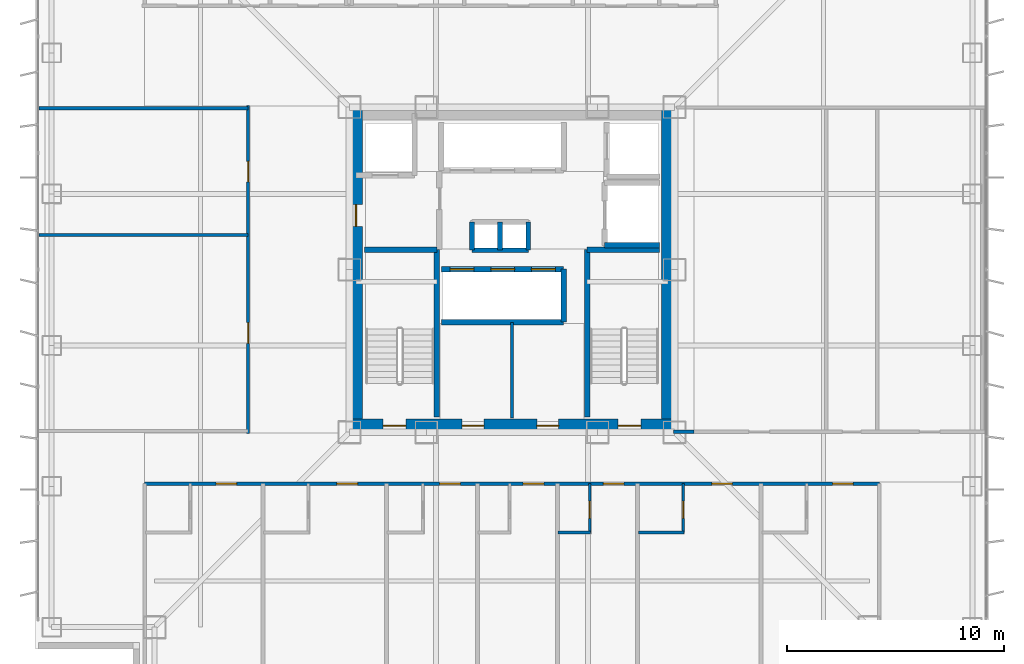
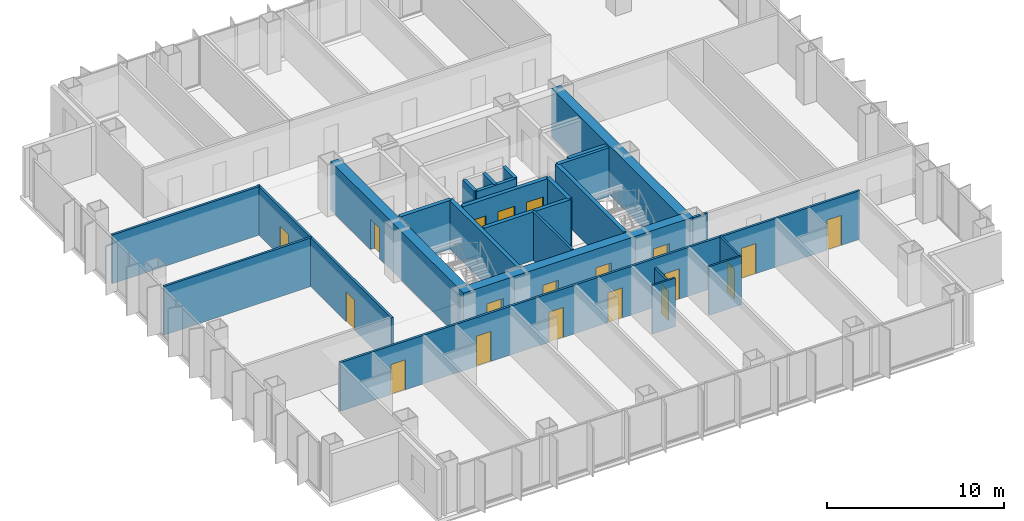
# One storey, part 13 of 18: 25 walls, 19 doors, 19 openings.
"""IFC4 building model written with IfcOpenShell, lengths in metres."""

from ifc_helpers import new_model, si_unit, direction, frame, frame_2d, origin, place, context, subcontext, project, spatial, rectangle, extrude, material, layer, layer_set, type_object, element, fill, save


model = new_model("IFC4")

# Units and contexts
model_context = context("Model", 3, precision=1e-05, world=origin(), true_north=direction((0.0, 1.0)))
body_context = subcontext(model_context, "Body", "Model", "MODEL_VIEW")
ifc_project = project(units=[si_unit("LENGTHUNIT", "METRE"), si_unit("AREAUNIT", "SQUARE_METRE"), si_unit("VOLUMEUNIT", "CUBIC_METRE"), si_unit("PLANEANGLEUNIT", "RADIAN"), si_unit("MASSUNIT", "GRAM", prefix="KILO")], contexts=[model_context])

# Site, building, storey
site_placement = place(None, origin())
site = spatial("IfcSite", under=ifc_project, at=site_placement, CompositionType="ELEMENT")
building_placement = place(site_placement, origin())
building = spatial("IfcBuilding", under=site, at=building_placement, Name="Trevonay Congress Spire", CompositionType="ELEMENT")
storey_placement = place(building_placement, frame((0.0, 0.0, 148.0)))
storey = spatial("IfcBuildingStorey", under=building, at=storey_placement, Name="L38", CompositionType="ELEMENT", Elevation=148.0)

# Wall, opening, door
ifc_material_1 = material(Name="Concrete C40/50", Category="concrete")
ifc_layer_1 = layer(ifc_material_1, 0.1201171875, Name="Concrete C40/50")
ifc_layer_set_1 = layer_set([ifc_layer_1], Name="Concrete C40/50")
wall_type_1 = type_object("IfcWallType", Name="WAL-BATH-120", PredefinedType="PLUMBINGWALL", material=ifc_layer_set_1)
wall_1_placement = place(storey_placement, frame((3.594970703125, -12.1298828125, 0.0), z_axis=(0.0, 0.0, 1.0), x_axis=(0.0, 1.0, 0.0)))
wall_1 = element("IfcWall", 1, at=wall_1_placement, inside=storey, type_object=wall_type_1, Name="L38 interior wall WH-L38S-BS5", PredefinedType="PLUMBINGWALL", context=body_context, shape_type="SweptSolid", body=[
    extrude(rectangle(XDim=2.25, YDim=0.1201171875, at=frame_2d((1.125, 0.0))), origin(), (0.0, 0.0, 1.0), 2.718017578125),
])
opening_1_placement = place(wall_1_placement, frame((0.64990234375, 0.0, 0.0)))
opening_1 = element("IfcOpeningElement", 2, at=opening_1_placement, cuts=wall_1, Name="Opening D11", PredefinedType="OPENING", context=body_context, shape_type="SweptSolid", body=[
    extrude(rectangle(XDim=0.800048828125, YDim=2.050048828125, at=frame_2d((0.39990234375, 1.02490234375))), frame((0.0, 0.070068359375, 0.0), z_axis=(0.0, -1.0, 0.0), x_axis=(1.0, 0.0, 0.0)), (0.0, 0.0, 1.0), 0.14013671875),
])
ifc_material_2 = material(Name="Pale Anodised Aluminium EN AW-6063-T6", Category="aluminium")
door_type_1 = type_object("IfcDoorType", Name="DOR-BATH-80", OperationType="NOTDEFINED", PredefinedType="DOOR", material=ifc_material_2)
door_1_placement = place(opening_1_placement, origin())
door_1 = element("IfcDoor", 3, at=door_1_placement, inside=storey, type_object=door_type_1, Name="L38 En-suite Bathroom Door", OperationType="SINGLE_SWING_LEFT", OverallHeight=2.050048828125, OverallWidth=0.800048828125, PredefinedType="DOOR", context=body_context, shape_type="SweptSolid", body=[
    extrude(rectangle(XDim=0.800048828125, YDim=2.050048828125, at=frame_2d((0.39990234375, 1.02490234375))), frame((0.0, 0.02490234375, 0.0), z_axis=(0.0, -1.0, 0.0), x_axis=(1.0, 0.0, 0.0)), (0.0, 0.0, 1.0), 0.050048828125),
])
fill(opening_1, door_1)

# Wall
wall_2_placement = place(storey_placement, frame((2.1298828125, -12.1298828125, 0.0), z_axis=(0.0, 0.0, 1.0), x_axis=(1.0, 0.0, 0.0)))
element("IfcWall", 4, at=wall_2_placement, inside=storey, type_object=wall_type_1, Name="L38 interior wall WH-L38S-BF5", PredefinedType="PLUMBINGWALL", context=body_context, shape_type="SweptSolid", body=[
    extrude(rectangle(XDim=1.4951171875, YDim=0.1201171875, at=frame_2d((0.74755859375, 0.0))), origin(), (0.0, 0.0, 1.0), 3.360107421875),
])

# Wall, opening, door
wall_3_placement = place(storey_placement, frame((7.89990234375, -12.1298828125, 0.0), z_axis=(0.0, 0.0, 1.0), x_axis=(0.0, 1.0, 0.0)))
wall_3 = element("IfcWall", 5, at=wall_3_placement, inside=storey, type_object=wall_type_1, Name="L38 interior wall WH-L38S-BS6", PredefinedType="PLUMBINGWALL", context=body_context, shape_type="SweptSolid", body=[
    extrude(rectangle(XDim=2.25, YDim=0.1201171875, at=frame_2d((1.125, 0.0))), origin(), (0.0, 0.0, 1.0), 3.360107421875),
])
opening_2_placement = place(wall_3_placement, frame((0.64990234375, 0.0, 0.0)))
opening_2 = element("IfcOpeningElement", 6, at=opening_2_placement, cuts=wall_3, Name="Opening D11", PredefinedType="OPENING", context=body_context, shape_type="SweptSolid", body=[
    extrude(rectangle(XDim=0.800048828125, YDim=2.050048828125, at=frame_2d((0.39990234375, 1.02490234375))), frame((0.0, 0.070068359375, 0.0), z_axis=(0.0, -1.0, 0.0), x_axis=(1.0, 0.0, 0.0)), (0.0, 0.0, 1.0), 0.14013671875),
])
door_2_placement = place(opening_2_placement, origin())
door_2 = element("IfcDoor", 7, at=door_2_placement, inside=storey, type_object=door_type_1, Name="L38 En-suite Bathroom Door", OperationType="SINGLE_SWING_RIGHT", OverallHeight=2.050048828125, OverallWidth=0.800048828125, PredefinedType="DOOR", context=body_context, shape_type="SweptSolid", body=[
    extrude(rectangle(XDim=0.800048828125, YDim=2.050048828125, at=frame_2d((0.39990234375, 1.02490234375))), frame((0.0, 0.02490234375, 0.0), z_axis=(0.0, -1.0, 0.0), x_axis=(1.0, 0.0, 0.0)), (0.0, 0.0, 1.0), 0.050048828125),
])
fill(opening_2, door_2)

# Wall
wall_4_placement = place(storey_placement, frame((5.830078125, -12.1298828125, 0.0), z_axis=(0.0, 0.0, 1.0), x_axis=(1.0, 0.0, 0.0)))
element("IfcWall", 8, at=wall_4_placement, inside=storey, type_object=wall_type_1, Name="L38 interior wall WH-L38S-BF6", PredefinedType="PLUMBINGWALL", context=body_context, shape_type="SweptSolid", body=[
    extrude(rectangle(XDim=2.099853515625, YDim=0.1201171875, at=frame_2d((1.0498046875, 0.0))), origin(), (0.0, 0.0, 1.0), 3.360107421875),
])

# Wall, openings, doors
ifc_material_3 = material(Name="Concrete C60/75", Category="concrete")
ifc_layer_2 = layer(ifc_material_3, 0.60009765625, Name="Concrete C60/75")
ifc_layer_set_2 = layer_set([ifc_layer_2], Name="Concrete C60/75")
wall_type_2 = type_object("IfcWallType", Name="WAL-CORE-600", PredefinedType="SHEAR", material=ifc_layer_set_2)
wall_5_placement = place(storey_placement, frame((-7.5, -7.199951171875, 0.0), z_axis=(0.0, 0.0, 1.0), x_axis=(1.0, 0.0, 0.0)))
wall_5 = element("IfcWall", 9, at=wall_5_placement, inside=storey, type_object=wall_type_2, Name="L38 South structural core shear wall", PredefinedType="SHEAR", context=body_context, shape_type="SweptSolid", body=[
    extrude(rectangle(XDim=15.0, YDim=0.60009765625, at=frame_2d((7.5, 0.0))), origin(), (0.0, 0.0, 1.0), 3.360107421875),
])
opening_3_placement = place(wall_5_placement, frame((1.550048828125, 0.0, 0.0)))
opening_3 = element("IfcOpeningElement", 10, at=opening_3_placement, cuts=wall_5, Name="Opening D05", PredefinedType="OPENING", context=body_context, shape_type="SweptSolid", body=[
    extrude(rectangle(XDim=1.050048828125, YDim=2.080078125, at=frame_2d((0.52490234375, 1.0400390625))), frame((0.0, 0.31005859375, 0.0), z_axis=(0.0, -1.0, 0.0), x_axis=(1.0, 0.0, 0.0)), (0.0, 0.0, 1.0), 0.6201171875),
])
opening_4_placement = place(wall_5_placement, frame((12.39990234375, 0.0, 0.0)))
opening_4 = element("IfcOpeningElement", 11, at=opening_4_placement, cuts=wall_5, Name="Opening D05", PredefinedType="OPENING", context=body_context, shape_type="SweptSolid", body=[
    extrude(rectangle(XDim=1.050048828125, YDim=2.080078125, at=frame_2d((0.52490234375, 1.0400390625))), frame((0.0, 0.31005859375, 0.0), z_axis=(0.0, -1.0, 0.0), x_axis=(1.0, 0.0, 0.0)), (0.0, 0.0, 1.0), 0.6201171875),
])
opening_5_placement = place(wall_5_placement, frame((5.199951171875, 0.0, 0.0)))
opening_5 = element("IfcOpeningElement", 12, at=opening_5_placement, cuts=wall_5, Name="Opening D06", PredefinedType="OPENING", context=body_context, shape_type="SweptSolid", body=[
    extrude(rectangle(XDim=1.0, YDim=2.080078125, at=frame_2d((0.5, 1.0400390625))), frame((0.0, 0.31005859375, 0.0), z_axis=(0.0, -1.0, 0.0), x_axis=(1.0, 0.0, 0.0)), (0.0, 0.0, 1.0), 0.6201171875),
])
opening_6_placement = place(wall_5_placement, frame((8.64990234375, 0.0, 0.0)))
opening_6 = element("IfcOpeningElement", 13, at=opening_6_placement, cuts=wall_5, Name="Opening D06", PredefinedType="OPENING", context=body_context, shape_type="SweptSolid", body=[
    extrude(rectangle(XDim=1.0, YDim=2.080078125, at=frame_2d((0.5, 1.0400390625))), frame((0.0, 0.31005859375, 0.0), z_axis=(0.0, -1.0, 0.0), x_axis=(1.0, 0.0, 0.0)), (0.0, 0.0, 1.0), 0.6201171875),
])
ifc_material_4 = material(Name="Steel ASTM A572 Grade 50", Category="steel")
door_type_2 = type_object("IfcDoorType", Name="DOR-FIRE-100", OperationType="NOTDEFINED", PredefinedType="DOOR", material=ifc_material_4)
door_3_placement = place(opening_5_placement, origin())
door_3 = element("IfcDoor", 14, at=door_3_placement, inside=storey, type_object=door_type_2, Name="L38 South Core Room 1 Door", OperationType="SINGLE_SWING_RIGHT", OverallHeight=2.080078125, OverallWidth=1.0, PredefinedType="DOOR", context=body_context, shape_type="SweptSolid", body=[
    extrude(rectangle(XDim=1.0, YDim=2.080078125, at=frame_2d((0.5, 1.0400390625))), frame((0.0, 0.02490234375, 0.0), z_axis=(0.0, -1.0, 0.0), x_axis=(1.0, 0.0, 0.0)), (0.0, 0.0, 1.0), 0.050048828125),
])
fill(opening_5, door_3)
door_4_placement = place(opening_6_placement, origin())
door_4 = element("IfcDoor", 15, at=door_4_placement, inside=storey, type_object=door_type_2, Name="L38 South Core Room 2 Door", OperationType="SINGLE_SWING_LEFT", OverallHeight=2.080078125, OverallWidth=1.0, PredefinedType="DOOR", context=body_context, shape_type="SweptSolid", body=[
    extrude(rectangle(XDim=1.0, YDim=2.080078125, at=frame_2d((0.5, 1.0400390625))), frame((0.0, 0.02490234375, 0.0), z_axis=(0.0, -1.0, 0.0), x_axis=(1.0, 0.0, 0.0)), (0.0, 0.0, 1.0), 0.050048828125),
])
fill(opening_6, door_4)
door_type_3 = type_object("IfcDoorType", Name="DOR-STAIR-110", OperationType="NOTDEFINED", PredefinedType="DOOR", material=ifc_material_4)
door_5_placement = place(opening_3_placement, origin())
door_5 = element("IfcDoor", 16, at=door_5_placement, inside=storey, type_object=door_type_3, Name="L38 Protected Stair ST-1 Door", OperationType="SINGLE_SWING_LEFT", OverallHeight=2.080078125, OverallWidth=1.050048828125, PredefinedType="DOOR", context=body_context, shape_type="SweptSolid", body=[
    extrude(rectangle(XDim=1.050048828125, YDim=2.080078125, at=frame_2d((0.52490234375, 1.0400390625))), frame((0.0, 0.02490234375, 0.0), z_axis=(0.0, -1.0, 0.0), x_axis=(1.0, 0.0, 0.0)), (0.0, 0.0, 1.0), 0.050048828125),
])
fill(opening_3, door_5)
door_6_placement = place(opening_4_placement, origin())
door_6 = element("IfcDoor", 17, at=door_6_placement, inside=storey, type_object=door_type_3, Name="L38 Protected Stair ST-2 Door", OperationType="SINGLE_SWING_RIGHT", OverallHeight=2.080078125, OverallWidth=1.050048828125, PredefinedType="DOOR", context=body_context, shape_type="SweptSolid", body=[
    extrude(rectangle(XDim=1.050048828125, YDim=2.080078125, at=frame_2d((0.52490234375, 1.0400390625))), frame((0.0, 0.02490234375, 0.0), z_axis=(0.0, -1.0, 0.0), x_axis=(1.0, 0.0, 0.0)), (0.0, 0.0, 1.0), 0.050048828125),
])
fill(opening_4, door_6)

# Wall, opening, door
wall_6_placement = place(storey_placement, frame((-7.199951171875, -7.5, 0.0), z_axis=(0.0, 0.0, 1.0), x_axis=(0.0, 1.0, 0.0)))
wall_6 = element("IfcWall", 18, at=wall_6_placement, inside=storey, type_object=wall_type_2, Name="L38 West structural core shear wall", PredefinedType="SHEAR", context=body_context, shape_type="SweptSolid", body=[
    extrude(rectangle(XDim=15.0, YDim=0.60009765625, at=frame_2d((7.5, 0.0))), origin(), (0.0, 0.0, 1.0), 3.360107421875),
])
opening_7_placement = place(wall_6_placement, frame((9.5, 0.0, 0.0)))
opening_7 = element("IfcOpeningElement", 19, at=opening_7_placement, cuts=wall_6, Name="Opening D06", PredefinedType="OPENING", context=body_context, shape_type="SweptSolid", body=[
    extrude(rectangle(XDim=1.0, YDim=2.080078125, at=frame_2d((0.5, 1.0400390625))), frame((0.0, 0.31005859375, 0.0), z_axis=(0.0, -1.0, 0.0), x_axis=(1.0, 0.0, 0.0)), (0.0, 0.0, 1.0), 0.6201171875),
])
door_7_placement = place(opening_7_placement, origin())
door_7 = element("IfcDoor", 20, at=door_7_placement, inside=storey, type_object=door_type_2, Name="L38 Firefighting Lift Lobby West Corridor Door", OperationType="SINGLE_SWING_LEFT", OverallHeight=2.080078125, OverallWidth=1.0, PredefinedType="DOOR", context=body_context, shape_type="SweptSolid", body=[
    extrude(rectangle(XDim=1.0, YDim=2.080078125, at=frame_2d((0.5, 1.0400390625))), frame((0.0, 0.02490234375, 0.0), z_axis=(0.0, -1.0, 0.0), x_axis=(1.0, 0.0, 0.0)), (0.0, 0.0, 1.0), 0.050048828125),
])
fill(opening_7, door_7)

# Wall
wall_7_placement = place(storey_placement, frame((7.199951171875, -7.5, 0.0), z_axis=(0.0, 0.0, 1.0), x_axis=(0.0, 1.0, 0.0)))
element("IfcWall", 21, at=wall_7_placement, inside=storey, type_object=wall_type_2, Name="L38 East structural core shear wall", PredefinedType="SHEAR", context=body_context, shape_type="SweptSolid", body=[
    extrude(rectangle(XDim=15.0, YDim=0.60009765625, at=frame_2d((7.5, 0.0))), origin(), (0.0, 0.0, 1.0), 3.360107421875),
])

# Wall, openings, doors
ifc_layer_3 = layer(ifc_material_1, 0.14990234375, Name="Concrete C40/50")
ifc_layer_set_3 = layer_set([ifc_layer_3], Name="Concrete C40/50")
wall_type_3 = type_object("IfcWallType", Name="WAL-CORR-150", PredefinedType="PARTITIONING", material=ifc_layer_set_3)
wall_8_placement = place(storey_placement, frame((-16.949951171875, -9.8798828125, 0.0), z_axis=(0.0, 0.0, 1.0), x_axis=(1.0, 0.0, 0.0)))
wall_8 = element("IfcWall", 22, at=wall_8_placement, inside=storey, type_object=wall_type_3, Name="L38 interior wall WH-L38S-COR", PredefinedType="PARTITIONING", context=body_context, shape_type="SweptSolid", body=[
    extrude(rectangle(XDim=33.89990234375, YDim=0.14990234375, at=frame_2d((16.949951171875, 0.0))), origin(), (0.0, 0.0, 1.0), 3.360107421875),
])
opening_8_placement = place(wall_8_placement, frame((3.294921875, 0.0, 0.0)))
opening_8 = element("IfcOpeningElement", 23, at=opening_8_placement, cuts=wall_8, Name="Opening D08", PredefinedType="OPENING", context=body_context, shape_type="SweptSolid", body=[
    extrude(rectangle(XDim=0.949951171875, YDim=2.080078125, at=frame_2d((0.47509765625, 1.0400390625))), frame((0.0, 0.0849609375, 0.0), z_axis=(0.0, -1.0, 0.0), x_axis=(1.0, 0.0, 0.0)), (0.0, 0.0, 1.0), 0.169921875),
])
opening_9_placement = place(wall_8_placement, frame((8.8701171875, 0.0, 0.0)))
opening_9 = element("IfcOpeningElement", 24, at=opening_9_placement, cuts=wall_8, Name="Opening D08", PredefinedType="OPENING", context=body_context, shape_type="SweptSolid", body=[
    extrude(rectangle(XDim=0.949951171875, YDim=2.080078125, at=frame_2d((0.47509765625, 1.0400390625))), frame((0.0, 0.0849609375, 0.0), z_axis=(0.0, -1.0, 0.0), x_axis=(1.0, 0.0, 0.0)), (0.0, 0.0, 1.0), 0.169921875),
])
opening_10_placement = place(wall_8_placement, frame((13.612548828125, 0.0, 0.0)))
opening_10 = element("IfcOpeningElement", 25, at=opening_10_placement, cuts=wall_8, Name="Opening D08", PredefinedType="OPENING", context=body_context, shape_type="SweptSolid", body=[
    extrude(rectangle(XDim=0.949951171875, YDim=2.080078125, at=frame_2d((0.47509765625, 1.0400390625))), frame((0.0, 0.0849609375, 0.0), z_axis=(0.0, -1.0, 0.0), x_axis=(1.0, 0.0, 0.0)), (0.0, 0.0, 1.0), 0.169921875),
])
opening_11_placement = place(wall_8_placement, frame((17.467529296875, 0.0, 0.0)))
opening_11 = element("IfcOpeningElement", 26, at=opening_11_placement, cuts=wall_8, Name="Opening D08", PredefinedType="OPENING", context=body_context, shape_type="SweptSolid", body=[
    extrude(rectangle(XDim=0.949951171875, YDim=2.080078125, at=frame_2d((0.47509765625, 1.0400390625))), frame((0.0, 0.0849609375, 0.0), z_axis=(0.0, -1.0, 0.0), x_axis=(1.0, 0.0, 0.0)), (0.0, 0.0, 1.0), 0.169921875),
])
opening_12_placement = place(wall_8_placement, frame((21.16748046875, 0.0, 0.0)))
opening_12 = element("IfcOpeningElement", 27, at=opening_12_placement, cuts=wall_8, Name="Opening D08", PredefinedType="OPENING", context=body_context, shape_type="SweptSolid", body=[
    extrude(rectangle(XDim=0.949951171875, YDim=2.080078125, at=frame_2d((0.47509765625, 1.0400390625))), frame((0.0, 0.0849609375, 0.0), z_axis=(0.0, -1.0, 0.0), x_axis=(1.0, 0.0, 0.0)), (0.0, 0.0, 1.0), 0.169921875),
])
opening_13_placement = place(wall_8_placement, frame((26.169921875, 0.0, 0.0)))
opening_13 = element("IfcOpeningElement", 28, at=opening_13_placement, cuts=wall_8, Name="Opening D08", PredefinedType="OPENING", context=body_context, shape_type="SweptSolid", body=[
    extrude(rectangle(XDim=0.949951171875, YDim=2.080078125, at=frame_2d((0.47509765625, 1.0400390625))), frame((0.0, 0.0849609375, 0.0), z_axis=(0.0, -1.0, 0.0), x_axis=(1.0, 0.0, 0.0)), (0.0, 0.0, 1.0), 0.169921875),
])
opening_14_placement = place(wall_8_placement, frame((31.7451171875, 0.0, 0.0)))
opening_14 = element("IfcOpeningElement", 29, at=opening_14_placement, cuts=wall_8, Name="Opening D08", PredefinedType="OPENING", context=body_context, shape_type="SweptSolid", body=[
    extrude(rectangle(XDim=0.949951171875, YDim=2.080078125, at=frame_2d((0.47509765625, 1.0400390625))), frame((0.0, 0.0849609375, 0.0), z_axis=(0.0, -1.0, 0.0), x_axis=(1.0, 0.0, 0.0)), (0.0, 0.0, 1.0), 0.169921875),
])
door_type_4 = type_object("IfcDoorType", Name="DOR-SUITE-95", OperationType="NOTDEFINED", PredefinedType="DOOR", material=ifc_material_2)
door_8_placement = place(opening_8_placement, origin())
door_8 = element("IfcDoor", 30, at=door_8_placement, inside=storey, type_object=door_type_4, Name="L38 Corner Hotel Suite Entrance Door", OperationType="SINGLE_SWING_RIGHT", OverallHeight=2.080078125, OverallWidth=0.949951171875, PredefinedType="DOOR", context=body_context, shape_type="SweptSolid", body=[
    extrude(rectangle(XDim=0.949951171875, YDim=2.080078125, at=frame_2d((0.47509765625, 1.0400390625))), frame((0.0, 0.02490234375, 0.0), z_axis=(0.0, -1.0, 0.0), x_axis=(1.0, 0.0, 0.0)), (0.0, 0.0, 1.0), 0.050048828125),
])
fill(opening_8, door_8)
door_9_placement = place(opening_9_placement, origin())
door_9 = element("IfcDoor", 31, at=door_9_placement, inside=storey, type_object=door_type_4, Name="L38 Hotel Guest Room Entrance Door", OperationType="SINGLE_SWING_LEFT", OverallHeight=2.080078125, OverallWidth=0.949951171875, PredefinedType="DOOR", context=body_context, shape_type="SweptSolid", body=[
    extrude(rectangle(XDim=0.949951171875, YDim=2.080078125, at=frame_2d((0.47509765625, 1.0400390625))), frame((0.0, 0.02490234375, 0.0), z_axis=(0.0, -1.0, 0.0), x_axis=(1.0, 0.0, 0.0)), (0.0, 0.0, 1.0), 0.050048828125),
])
fill(opening_9, door_9)
door_10_placement = place(opening_10_placement, origin())
door_10 = element("IfcDoor", 32, at=door_10_placement, inside=storey, type_object=door_type_4, Name="L38 Hotel Guest Room Entrance Door", OperationType="SINGLE_SWING_RIGHT", OverallHeight=2.080078125, OverallWidth=0.949951171875, PredefinedType="DOOR", context=body_context, shape_type="SweptSolid", body=[
    extrude(rectangle(XDim=0.949951171875, YDim=2.080078125, at=frame_2d((0.47509765625, 1.0400390625))), frame((0.0, 0.02490234375, 0.0), z_axis=(0.0, -1.0, 0.0), x_axis=(1.0, 0.0, 0.0)), (0.0, 0.0, 1.0), 0.050048828125),
])
fill(opening_10, door_10)
door_11_placement = place(opening_11_placement, origin())
door_11 = element("IfcDoor", 33, at=door_11_placement, inside=storey, type_object=door_type_4, Name="L38 Hotel Guest Room Entrance Door", OperationType="SINGLE_SWING_LEFT", OverallHeight=2.080078125, OverallWidth=0.949951171875, PredefinedType="DOOR", context=body_context, shape_type="SweptSolid", body=[
    extrude(rectangle(XDim=0.949951171875, YDim=2.080078125, at=frame_2d((0.47509765625, 1.0400390625))), frame((0.0, 0.02490234375, 0.0), z_axis=(0.0, -1.0, 0.0), x_axis=(1.0, 0.0, 0.0)), (0.0, 0.0, 1.0), 0.050048828125),
])
fill(opening_11, door_11)
door_12_placement = place(opening_12_placement, origin())
door_12 = element("IfcDoor", 34, at=door_12_placement, inside=storey, type_object=door_type_4, Name="L38 Hotel Guest Room Entrance Door", OperationType="SINGLE_SWING_RIGHT", OverallHeight=2.080078125, OverallWidth=0.949951171875, PredefinedType="DOOR", context=body_context, shape_type="SweptSolid", body=[
    extrude(rectangle(XDim=0.949951171875, YDim=2.080078125, at=frame_2d((0.47509765625, 1.0400390625))), frame((0.0, 0.02490234375, 0.0), z_axis=(0.0, -1.0, 0.0), x_axis=(1.0, 0.0, 0.0)), (0.0, 0.0, 1.0), 0.050048828125),
])
fill(opening_12, door_12)
door_13_placement = place(opening_13_placement, origin())
door_13 = element("IfcDoor", 35, at=door_13_placement, inside=storey, type_object=door_type_4, Name="L38 Corner Hotel Suite Entrance Door", OperationType="SINGLE_SWING_LEFT", OverallHeight=2.080078125, OverallWidth=0.949951171875, PredefinedType="DOOR", context=body_context, shape_type="SweptSolid", body=[
    extrude(rectangle(XDim=0.949951171875, YDim=2.080078125, at=frame_2d((0.47509765625, 1.0400390625))), frame((0.0, 0.02490234375, 0.0), z_axis=(0.0, -1.0, 0.0), x_axis=(1.0, 0.0, 0.0)), (0.0, 0.0, 1.0), 0.050048828125),
])
fill(opening_13, door_13)
door_14_placement = place(opening_14_placement, origin())
door_14 = element("IfcDoor", 36, at=door_14_placement, inside=storey, type_object=door_type_4, Name="L38 Hotel Guest Room Entrance Door", OperationType="SINGLE_SWING_RIGHT", OverallHeight=2.080078125, OverallWidth=0.949951171875, PredefinedType="DOOR", context=body_context, shape_type="SweptSolid", body=[
    extrude(rectangle(XDim=0.949951171875, YDim=2.080078125, at=frame_2d((0.47509765625, 1.0400390625))), frame((0.0, 0.02490234375, 0.0), z_axis=(0.0, -1.0, 0.0), x_axis=(1.0, 0.0, 0.0)), (0.0, 0.0, 1.0), 0.050048828125),
])
fill(opening_14, door_14)

wall_9_placement = place(storey_placement, frame((-12.179931640625, -7.570068359375, 0.0), z_axis=(0.0, 0.0, 1.0), x_axis=(0.0, 1.0, 0.0)))
wall_9 = element("IfcWall", 37, at=wall_9_placement, inside=storey, type_object=wall_type_3, Name="L38 interior wall WP-L38W-COR", PredefinedType="PARTITIONING", context=body_context, shape_type="SweptSolid", body=[
    extrude(rectangle(XDim=15.14013671875, YDim=0.14990234375, at=frame_2d((7.570068359375, 0.0))), origin(), (0.0, 0.0, 1.0), 3.360107421875),
])
opening_15_placement = place(wall_9_placement, frame((4.169921875, 0.0, 0.0)))
opening_15 = element("IfcOpeningElement", 38, at=opening_15_placement, cuts=wall_9, Name="Opening D07", PredefinedType="OPENING", context=body_context, shape_type="SweptSolid", body=[
    extrude(rectangle(XDim=0.949951171875, YDim=2.06005859375, at=frame_2d((0.47509765625, 1.030029296875))), frame((0.0, 0.0849609375, 0.0), z_axis=(0.0, -1.0, 0.0), x_axis=(1.0, 0.0, 0.0)), (0.0, 0.0, 1.0), 0.169921875),
])
opening_16_placement = place(wall_9_placement, frame((11.6201171875, 0.0, 0.0)))
opening_16 = element("IfcOpeningElement", 39, at=opening_16_placement, cuts=wall_9, Name="Opening D07", PredefinedType="OPENING", context=body_context, shape_type="SweptSolid", body=[
    extrude(rectangle(XDim=0.949951171875, YDim=2.06005859375, at=frame_2d((0.47509765625, 1.030029296875))), frame((0.0, 0.0849609375, 0.0), z_axis=(0.0, -1.0, 0.0), x_axis=(1.0, 0.0, 0.0)), (0.0, 0.0, 1.0), 0.169921875),
])
door_type_5 = type_object("IfcDoorType", Name="DOR-OFFICE-95", OperationType="NOTDEFINED", PredefinedType="DOOR", material=ifc_material_2)
door_15_placement = place(opening_15_placement, origin())
door_15 = element("IfcDoor", 40, at=door_15_placement, inside=storey, type_object=door_type_5, Name="L38 Chief Negotiator Office Door", OperationType="SINGLE_SWING_LEFT", OverallHeight=2.06005859375, OverallWidth=0.949951171875, PredefinedType="DOOR", context=body_context, shape_type="SweptSolid", body=[
    extrude(rectangle(XDim=0.949951171875, YDim=2.06005859375, at=frame_2d((0.47509765625, 1.030029296875))), frame((0.0, 0.02490234375, 0.0), z_axis=(0.0, -1.0, 0.0), x_axis=(1.0, 0.0, 0.0)), (0.0, 0.0, 1.0), 0.050048828125),
])
fill(opening_15, door_15)
door_16_placement = place(opening_16_placement, origin())
door_16 = element("IfcDoor", 41, at=door_16_placement, inside=storey, type_object=door_type_5, Name="L38 Diplomatic Cipher Office Door", OperationType="SINGLE_SWING_RIGHT", OverallHeight=2.06005859375, OverallWidth=0.949951171875, PredefinedType="DOOR", context=body_context, shape_type="SweptSolid", body=[
    extrude(rectangle(XDim=0.949951171875, YDim=2.06005859375, at=frame_2d((0.47509765625, 1.030029296875))), frame((0.0, 0.02490234375, 0.0), z_axis=(0.0, -1.0, 0.0), x_axis=(1.0, 0.0, 0.0)), (0.0, 0.0, 1.0), 0.050048828125),
])
fill(opening_16, door_16)

# Walls
wall_10_placement = place(storey_placement, frame((7.449951171875, -7.47998046875, 0.0), z_axis=(0.0, 0.0, 1.0), x_axis=(1.0, 0.0, 0.0)))
element("IfcWall", 42, at=wall_10_placement, inside=storey, type_object=wall_type_3, Name="L38 interior wall WP-L38E-STUB", PredefinedType="PARTITIONING", context=body_context, shape_type="SweptSolid", body=[
    extrude(rectangle(XDim=0.949951171875, YDim=0.14990234375, at=frame_2d((0.47509765625, 0.0))), origin(), (0.0, 0.0, 1.0), 3.360107421875),
])
ifc_layer_4 = layer(ifc_material_1, 0.14990234375, Name="Concrete C40/50")
ifc_layer_set_4 = layer_set([ifc_layer_4], Name="Concrete C40/50")
wall_type_4 = type_object("IfcWallType", Name="WAL-PART-150", PredefinedType="PARTITIONING", material=ifc_layer_set_4)
wall_11_placement = place(storey_placement, frame((0.0, -6.85009765625, 0.0), z_axis=(0.0, 0.0, 1.0), x_axis=(0.0, 1.0, 0.0)))
element("IfcWall", 43, at=wall_11_placement, inside=storey, type_object=wall_type_4, Name="L38 interior wall CW-F0-L38", PredefinedType="PARTITIONING", context=body_context, shape_type="SweptSolid", body=[
    extrude(rectangle(XDim=4.420166015625, YDim=0.14990234375, at=frame_2d((2.2099609375, 0.0))), origin(), (0.0, 0.0, 1.0), 3.360107421875),
])
for number, where, z_axis, x_axis, name in (
    (44, (-21.820068359375, 1.60009765625, 0.0), (0.0, 0.0, 1.0), (1.0, 0.0, 0.0), "L38 interior wall WP-L38W-DIV2"),
    (45, (-21.820068359375, 7.449951171875, 0.0), (0.0, 0.0, 1.0), (1.0, 0.0, 0.0), "L38 interior wall WP-L38W-DIV3"),
):
    element("IfcWall", number, at=place(storey_placement, frame(where, z_axis=z_axis, x_axis=x_axis)), inside=storey, type_object=wall_type_4, Name=name, PredefinedType="PARTITIONING", context=body_context, shape_type="SweptSolid", body=[
        extrude(rectangle(XDim=9.64013671875, YDim=0.14990234375, at=frame_2d((4.820068359375, 0.0))), origin(), (0.0, 0.0, 1.0), 3.360107421875),
    ])
ifc_layer_5 = layer(ifc_material_1, 0.219970703125, Name="Concrete C40/50")
ifc_layer_set_5 = layer_set([ifc_layer_5], Name="Concrete C40/50")
wall_type_5 = type_object("IfcWallType", Name="WAL-SHAFT-220", PredefinedType="PARTITIONING", material=ifc_layer_set_5)
wall_12_placement = place(storey_placement, frame((-1.85009765625, 0.89990234375, 0.0), z_axis=(0.0, 0.0, 1.0), x_axis=(1.0, 0.0, 0.0)))
element("IfcWall", 46, at=wall_12_placement, inside=storey, type_object=wall_type_5, Name="L38 interior shaft wall WSH-L38-RSR-S", PredefinedType="PARTITIONING", context=body_context, shape_type="SweptSolid", body=[
    extrude(rectangle(XDim=2.60009765625, YDim=0.219970703125, at=frame_2d((1.300048828125, 0.0))), origin(), (0.0, 0.0, 1.0), 3.360107421875),
])
for number, where, z_axis, x_axis, name in (
    (47, (-0.550048828125, 0.89990234375, 0.0), (0.0, 0.0, 1.0), (0.0, 1.0, 0.0), "L38 interior shaft wall WSH-L38-RSR-M"),
    (48, (0.75, 0.89990234375, 0.0), (0.0, 0.0, 1.0), (0.0, 1.0, 0.0), "L38 interior shaft wall WSH-L38-RSR-E"),
    (49, (-1.85009765625, 0.89990234375, 0.0), (0.0, 0.0, 1.0), (0.0, 1.0, 0.0), "L38 interior shaft wall WSH-L38-RSR-W"),
):
    element("IfcWall", number, at=place(storey_placement, frame(where, z_axis=z_axis, x_axis=x_axis)), inside=storey, type_object=wall_type_5, Name=name, PredefinedType="PARTITIONING", context=body_context, shape_type="SweptSolid", body=[
        extrude(rectangle(XDim=1.300048828125, YDim=0.219970703125, at=frame_2d((0.64990234375, 0.0))), origin(), (0.0, 0.0, 1.0), 3.360107421875),
    ])

# Wall, openings, doors
ifc_layer_6 = layer(ifc_material_1, 0.25, Name="Concrete C40/50")
ifc_layer_set_6 = layer_set([ifc_layer_6], Name="Concrete C40/50")
wall_type_6 = type_object("IfcWallType", Name="WAL-SHAFT-250", PredefinedType="SHEAR", material=ifc_layer_set_6)
wall_13_placement = place(storey_placement, frame((-3.260009765625, 0.02001953125, 0.0), z_axis=(0.0, 0.0, 1.0), x_axis=(1.0, 0.0, 0.0)))
wall_13 = element("IfcWall", 50, at=wall_13_placement, inside=storey, type_object=wall_type_6, Name="L38 interior shaft wall WSH-L38-B2-N", PredefinedType="SHEAR", context=body_context, shape_type="SweptSolid", body=[
    extrude(rectangle(XDim=5.639892578125, YDim=0.25, at=frame_2d((2.81982421875, 0.0))), origin(), (0.0, 0.0, 1.0), 3.360107421875),
])
opening_17_placement = place(wall_13_placement, frame((0.39990234375, 0.0, 0.0)))
opening_17 = element("IfcOpeningElement", 51, at=opening_17_placement, cuts=wall_13, Name="Opening LD02", PredefinedType="OPENING", context=body_context, shape_type="SweptSolid", body=[
    extrude(rectangle(XDim=1.10009765625, YDim=2.199951171875, at=frame_2d((0.550048828125, 1.10009765625))), frame((0.0, 0.135009765625, 0.0), z_axis=(0.0, -1.0, 0.0), x_axis=(1.0, 0.0, 0.0)), (0.0, 0.0, 1.0), 0.27001953125),
])
opening_18_placement = place(wall_13_placement, frame((2.280029296875, 0.0, 0.0)))
opening_18 = element("IfcOpeningElement", 52, at=opening_18_placement, cuts=wall_13, Name="Opening LD02", PredefinedType="OPENING", context=body_context, shape_type="SweptSolid", body=[
    extrude(rectangle(XDim=1.10009765625, YDim=2.199951171875, at=frame_2d((0.550048828125, 1.10009765625))), frame((0.0, 0.135009765625, 0.0), z_axis=(0.0, -1.0, 0.0), x_axis=(1.0, 0.0, 0.0)), (0.0, 0.0, 1.0), 0.27001953125),
])
opening_19_placement = place(wall_13_placement, frame((4.159912109375, 0.0, 0.0)))
opening_19 = element("IfcOpeningElement", 53, at=opening_19_placement, cuts=wall_13, Name="Opening LD02", PredefinedType="OPENING", context=body_context, shape_type="SweptSolid", body=[
    extrude(rectangle(XDim=1.10009765625, YDim=2.199951171875, at=frame_2d((0.550048828125, 1.10009765625))), frame((0.0, 0.135009765625, 0.0), z_axis=(0.0, -1.0, 0.0), x_axis=(1.0, 0.0, 0.0)), (0.0, 0.0, 1.0), 0.27001953125),
])
door_type_6 = type_object("IfcDoorType", Name="DOR-LIFT-LD02", OperationType="DOUBLE_DOOR_SLIDING", PredefinedType="DOOR", material=ifc_material_2)
door_17_placement = place(opening_17_placement, origin())
door_17 = element("IfcDoor", 54, at=door_17_placement, inside=storey, type_object=door_type_6, Name="L38 Passenger lift PL-04 landing door", OperationType="DOUBLE_DOOR_SLIDING", OverallHeight=2.199951171875, OverallWidth=1.10009765625, PredefinedType="DOOR", context=body_context, shape_type="SweptSolid", body=[
    extrude(rectangle(XDim=1.10009765625, YDim=2.199951171875, at=frame_2d((0.550048828125, 1.10009765625))), frame((0.0, 0.02490234375, 0.0), z_axis=(0.0, -1.0, 0.0), x_axis=(1.0, 0.0, 0.0)), (0.0, 0.0, 1.0), 0.050048828125),
])
fill(opening_17, door_17)
door_18_placement = place(opening_18_placement, origin())
door_18 = element("IfcDoor", 55, at=door_18_placement, inside=storey, type_object=door_type_6, Name="L38 Passenger lift PL-05 landing door", OperationType="DOUBLE_DOOR_SLIDING", OverallHeight=2.199951171875, OverallWidth=1.10009765625, PredefinedType="DOOR", context=body_context, shape_type="SweptSolid", body=[
    extrude(rectangle(XDim=1.10009765625, YDim=2.199951171875, at=frame_2d((0.550048828125, 1.10009765625))), frame((0.0, 0.02490234375, 0.0), z_axis=(0.0, -1.0, 0.0), x_axis=(1.0, 0.0, 0.0)), (0.0, 0.0, 1.0), 0.050048828125),
])
fill(opening_18, door_18)
door_19_placement = place(opening_19_placement, origin())
door_19 = element("IfcDoor", 56, at=door_19_placement, inside=storey, type_object=door_type_6, Name="L38 Passenger lift PL-06 landing door", OperationType="DOUBLE_DOOR_SLIDING", OverallHeight=2.199951171875, OverallWidth=1.10009765625, PredefinedType="DOOR", context=body_context, shape_type="SweptSolid", body=[
    extrude(rectangle(XDim=1.10009765625, YDim=2.199951171875, at=frame_2d((0.550048828125, 1.10009765625))), frame((0.0, 0.02490234375, 0.0), z_axis=(0.0, -1.0, 0.0), x_axis=(1.0, 0.0, 0.0)), (0.0, 0.0, 1.0), 0.050048828125),
])
fill(opening_19, door_19)

# Walls
wall_14_placement = place(storey_placement, frame((-3.260009765625, -2.419921875, 0.0), z_axis=(0.0, 0.0, 1.0), x_axis=(1.0, 0.0, 0.0)))
element("IfcWall", 57, at=wall_14_placement, inside=storey, type_object=wall_type_6, Name="L38 interior shaft wall WSH-L38-B2-S", PredefinedType="SHEAR", context=body_context, shape_type="SweptSolid", body=[
    extrude(rectangle(XDim=5.639892578125, YDim=0.25, at=frame_2d((2.81982421875, 0.0))), origin(), (0.0, 0.0, 1.0), 3.360107421875),
])
wall_15_placement = place(storey_placement, frame((2.3798828125, -2.419921875, 0.0), z_axis=(0.0, 0.0, 1.0), x_axis=(0.0, 1.0, 0.0)))
element("IfcWall", 58, at=wall_15_placement, inside=storey, type_object=wall_type_6, Name="L38 interior shaft wall WSH-L38-B2-E", PredefinedType="SHEAR", context=body_context, shape_type="SweptSolid", body=[
    extrude(rectangle(XDim=2.43994140625, YDim=0.25, at=frame_2d((1.219970703125, 0.0))), origin(), (0.0, 0.0, 1.0), 3.360107421875),
])
wall_16_placement = place(storey_placement, frame((4.280029296875, 1.1201171875, 0.0), z_axis=(0.0, 0.0, 1.0), x_axis=(1.0, 0.0, 0.0)))
element("IfcWall", 59, at=wall_16_placement, inside=storey, type_object=wall_type_6, Name="L38 interior shaft wall WSH-L38-SV-S", PredefinedType="SHEAR", context=body_context, shape_type="SweptSolid", body=[
    extrude(rectangle(XDim=2.52001953125, YDim=0.25, at=frame_2d((1.260009765625, 0.0))), origin(), (0.0, 0.0, 1.0), 3.360107421875),
])
ifc_layer_7 = layer(ifc_material_1, 0.25, Name="Concrete C40/50")
ifc_layer_set_7 = layer_set([ifc_layer_7], Name="Concrete C40/50")
wall_type_7 = type_object("IfcWallType", Name="WAL-SHAFT-LB-250", PredefinedType="SHEAR", material=ifc_layer_set_7)
wall_17_placement = place(storey_placement, frame((-3.469970703125, -6.800048828125, 0.0), z_axis=(0.0, 0.0, 1.0), x_axis=(0.0, 1.0, 0.0)))
element("IfcWall", 60, at=wall_17_placement, inside=storey, type_object=wall_type_7, Name="L38 interior shaft wall WSH-L38-ST1-E", PredefinedType="SHEAR", context=body_context, shape_type="SweptSolid", body=[
    extrude(rectangle(XDim=7.719970703125, YDim=0.25, at=frame_2d((3.85986328125, 0.0))), origin(), (0.0, 0.0, 1.0), 3.360107421875),
])
wall_18_placement = place(storey_placement, frame((-6.800048828125, 0.919921875, 0.0), z_axis=(0.0, 0.0, 1.0), x_axis=(1.0, 0.0, 0.0)))
element("IfcWall", 61, at=wall_18_placement, inside=storey, type_object=wall_type_7, Name="L38 interior shaft wall WSH-L38-ST1-N", PredefinedType="SHEAR", context=body_context, shape_type="SweptSolid", body=[
    extrude(rectangle(XDim=3.330078125, YDim=0.25, at=frame_2d((1.6650390625, 0.0))), origin(), (0.0, 0.0, 1.0), 3.360107421875),
])
wall_19_placement = place(storey_placement, frame((3.469970703125, -6.800048828125, 0.0), z_axis=(0.0, 0.0, 1.0), x_axis=(0.0, 1.0, 0.0)))
element("IfcWall", 62, at=wall_19_placement, inside=storey, type_object=wall_type_7, Name="L38 interior shaft wall WSH-L38-ST2-W", PredefinedType="SHEAR", context=body_context, shape_type="SweptSolid", body=[
    extrude(rectangle(XDim=7.719970703125, YDim=0.25, at=frame_2d((3.85986328125, 0.0))), origin(), (0.0, 0.0, 1.0), 3.360107421875),
])
wall_20_placement = place(storey_placement, frame((3.469970703125, 0.919921875, 0.0), z_axis=(0.0, 0.0, 1.0), x_axis=(1.0, 0.0, 0.0)))
element("IfcWall", 63, at=wall_20_placement, inside=storey, type_object=wall_type_7, Name="L38 interior shaft wall WSH-L38-ST2-N", PredefinedType="SHEAR", context=body_context, shape_type="SweptSolid", body=[
    extrude(rectangle(XDim=3.330078125, YDim=0.25, at=frame_2d((1.6650390625, 0.0))), origin(), (0.0, 0.0, 1.0), 3.360107421875),
])

save(model, "model.ifc")
